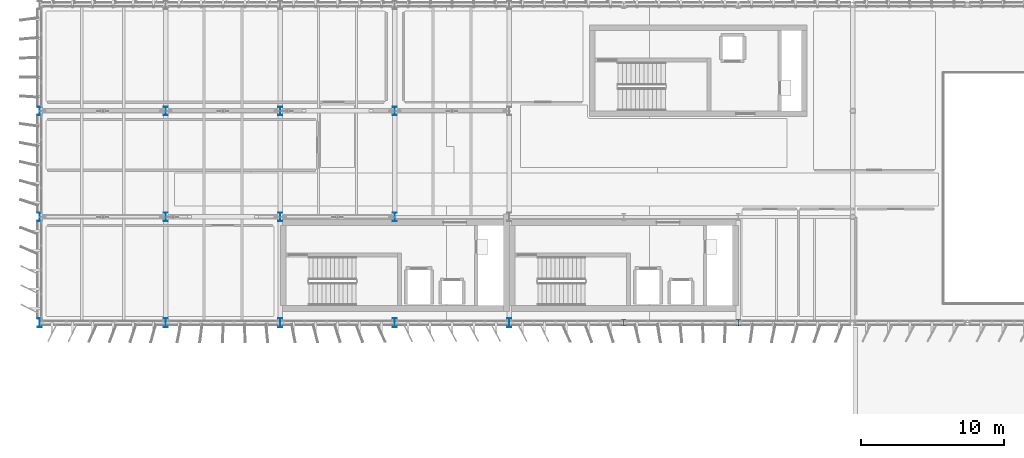
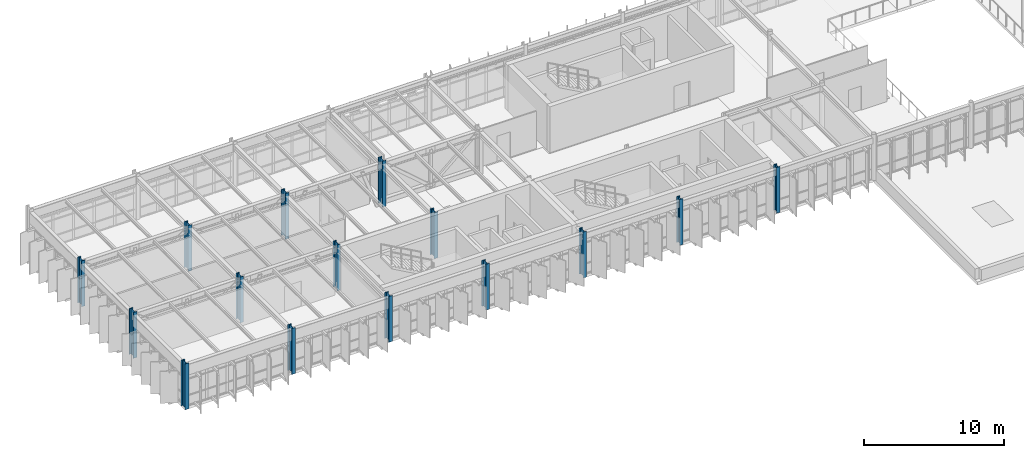
# One storey, part 1 of 56: 15 columns.
"""IFC4 building model written with IfcOpenShell, lengths in metres."""

import ifcopenshell
import ifcopenshell.guid

model = None  # the IFC model being written
_history = None  # IfcOwnerHistory: only IFC2X3 demands one
_inside = {}  # id of a spatial element -> (the spatial element, [elements in it])
_under = {}  # id of a project, library or spatial element -> (it, [spatial elements below it])
_declared = {}  # id of a project -> (the project, [libraries it declares])
_typed = {}  # id of a type object -> (the type object, [elements of that type])
_made_of = {}  # id of a material, layer set ... -> (it, [elements and type objects made of it])


def new_model(schema):
    """Start an empty IFC model of exactly this schema.

    Asked for "IFC4X3", IfcOpenShell would pick the latest addendum, in which some entities
    have other attributes; the version numbers below select the first issue.
    IFC2X3 requires an IfcOwnerHistory on every rooted entity: one is made here for all.
    """
    global model, _history
    if schema == "IFC4X3":
        model = ifcopenshell.file(schema_version=(4, 3, 0, 0))
    else:
        model = ifcopenshell.file(schema=schema)
    _inside.clear()
    _under.clear()
    _declared.clear()
    _typed.clear()
    _made_of.clear()
    _history = None
    if model.schema == "IFC2X3":
        org = make("IfcOrganization", Name="unknown")
        user = make(
            "IfcPersonAndOrganization",
            ThePerson=make("IfcPerson", FamilyName="unknown"),
            TheOrganization=org,
        )
        app = make(
            "IfcApplication",
            ApplicationDeveloper=org,
            Version="unknown",
            ApplicationFullName="unknown",
            ApplicationIdentifier="unknown",
        )
        _history = make(
            "IfcOwnerHistory",
            OwningUser=user,
            OwningApplication=app,
            ChangeAction="ADDED",
            CreationDate=0,
        )
    return model


def make(cls, **values):
    """One entity of the class cls with the attributes given. An attribute that is None is left unset."""
    return model.create_entity(
        cls, **{name: value for name, value in values.items() if value is not None}
    )


def rooted(cls, **values):
    """An entity with a GlobalId (a new one), such as an element, a storey or a relation."""
    return make(cls, GlobalId=ifcopenshell.guid.new(), OwnerHistory=_history, **values)


def si_unit(unit_type, name, prefix=None):
    """IfcSIUnit, for example si_unit("LENGTHUNIT", "METRE", prefix="MILLI")."""
    return make("IfcSIUnit", UnitType=unit_type, Prefix=prefix, Name=name)


def assignment(units):
    """IfcUnitAssignment: the units of a project."""
    return None if units is None else make("IfcUnitAssignment", Units=units)


def point(xyz):
    """IfcCartesianPoint."""
    return None if xyz is None else make("IfcCartesianPoint", Coordinates=xyz)


def direction(xyz):
    """IfcDirection."""
    return None if xyz is None else make("IfcDirection", DirectionRatios=xyz)


def frame(location, z_axis=None, x_axis=None):
    """IfcAxis2Placement3D, a coordinate frame: its origin and axes. An axis left out is left unset."""
    return make(
        "IfcAxis2Placement3D",
        Location=point(location),
        Axis=direction(z_axis),
        RefDirection=direction(x_axis),
    )


def frame_2d(location, x_axis=None):
    """IfcAxis2Placement2D, a coordinate frame in the plane: its origin and x axis."""
    return make(
        "IfcAxis2Placement2D", Location=point(location), RefDirection=direction(x_axis)
    )


def origin():
    """The frame at (0, 0, 0) with its axes left unset."""
    return frame((0.0, 0.0, 0.0))


def origin_2d():
    """The frame at (0, 0) in the plane with its x axis left unset."""
    return frame_2d((0.0, 0.0))


def place(relative_to, where):
    """IfcLocalPlacement: puts the frame where relative to a parent placement (None: the world)."""
    return make(
        "IfcLocalPlacement", PlacementRelTo=relative_to, RelativePlacement=where
    )


def context(
    kind, dimensions, precision=None, world=None, true_north=None, identifier=None
):
    """IfcGeometricRepresentationContext, for example the 3D "Model" context."""
    return make(
        "IfcGeometricRepresentationContext",
        ContextIdentifier=identifier,
        ContextType=kind,
        CoordinateSpaceDimension=dimensions,
        Precision=precision,
        WorldCoordinateSystem=world,
        TrueNorth=true_north,
    )


def subcontext(parent, identifier, kind, view, scale=None):
    """IfcGeometricRepresentationSubContext, for example "Body" below "Model"."""
    return make(
        "IfcGeometricRepresentationSubContext",
        ContextIdentifier=identifier,
        ContextType=kind,
        ParentContext=parent,
        TargetScale=scale,
        TargetView=view,
    )


def project(units=None, contexts=None):
    """IfcProject with its units and contexts."""
    return rooted(
        "IfcProject",
        Name="project",
        RepresentationContexts=contexts,
        UnitsInContext=assignment(units),
    )


def spatial(cls, under=None, at=None, **own):
    """A site, building, storey or space (cls), placed at a placement, below another one or the project."""
    s = rooted(cls, ObjectPlacement=at, **own)
    if under is not None:
        _under.setdefault(under.id(), (under, []))[1].append(s)
    return s


def profile(cls, at=None, kind="AREA", **sizes):
    """A parametric profile (cls). Its sizes go by their IFC names, for example OverallWidth=200.0."""
    return make(cls, ProfileType=kind, Position=at, **sizes)


def i_section(**sizes):
    """IfcIShapeProfileDef."""
    return profile("IfcIShapeProfileDef", **sizes)


def extrude(swept, where, along, depth):
    """IfcExtrudedAreaSolid: the profile swept, set in the frame where, extruded along a direction by depth."""
    return make(
        "IfcExtrudedAreaSolid",
        SweptArea=swept,
        Position=where,
        ExtrudedDirection=direction(along),
        Depth=depth,
    )


def shape(context_of_items, identifier, shape_type, items):
    """IfcShapeRepresentation: the items that make up one representation, for example the "Body"."""
    return make(
        "IfcShapeRepresentation",
        ContextOfItems=context_of_items,
        RepresentationIdentifier=identifier,
        RepresentationType=shape_type,
        Items=items,
    )


def material(Name=None, Category=None):
    """IfcMaterial."""
    return make("IfcMaterial", Name=Name, Category=Category)


def material_profile(
    of_material, cross_section, Name=None, Category=None, Priority=None
):
    """IfcMaterialProfile: a cross section and its material."""
    return make(
        "IfcMaterialProfile",
        Name=Name,
        Material=of_material,
        Profile=cross_section,
        Priority=Priority,
        Category=Category,
    )


def profile_set(profiles, Name=None, composite=None):
    """IfcMaterialProfileSet."""
    return make(
        "IfcMaterialProfileSet",
        Name=Name,
        MaterialProfiles=profiles,
        CompositeProfile=composite,
    )


def made_of(thing, what):
    """Note that an element or type object is made of a material, layer set ...; save() writes the relation."""
    if what is not None:
        _made_of.setdefault(what.id(), (what, []))[1].append(thing)
    return thing


def type_object(cls, material=None, **own):
    """A type object (cls), such as IfcWallType, which elements share."""
    return made_of(rooted(cls, **own), material)


def element(
    cls,
    number,
    at=None,
    inside=None,
    cuts=None,
    type_object=None,
    material=None,
    context=None,
    identifier="Body",
    shape_type=None,
    held_by="IfcProductDefinitionShape",
    body=None,
    shapes=None,
    **own,
):
    """One element of the class cls, such as IfcWall. Its Tag is "e" and its number.

    at: its placement. inside: the storey or other place that contains it. cuts: it is an
    opening in that element (IfcRelVoidsElement). A single representation is given by context,
    identifier, shape_type and body (its items); several are given by shapes. held_by: the class
    of the entity that holds the representations. save() writes the other relations.
    """
    e = rooted(cls, Tag="e%d" % number, ObjectPlacement=at, **own)
    if body is not None:
        shapes = [shape(context, identifier, shape_type, body)]
    if shapes is not None:
        e.Representation = make(held_by, Representations=shapes)
    if inside is not None:
        _inside.setdefault(inside.id(), (inside, []))[1].append(e)
    if cuts is not None:
        rooted(
            "IfcRelVoidsElement", RelatingBuildingElement=cuts, RelatedOpeningElement=e
        )
    if type_object is not None:
        _typed.setdefault(type_object.id(), (type_object, []))[1].append(e)
    return made_of(e, material)


def aggregate(whole, parts):
    """IfcRelAggregates: a whole, such as a stair, and the parts it consists of."""
    return rooted("IfcRelAggregates", RelatingObject=whole, RelatedObjects=parts)


def save(model, path):
    """Write the relations noted so far, then the file.

    IfcRelAggregates (storeys below a building ...), IfcRelContainedInSpatialStructure (elements
    in a storey), IfcRelDefinesByType, IfcRelAssociatesMaterial and IfcRelDeclares: one each for
    every whole, place, type object, material and project.
    """
    for whole, parts in _under.values():
        aggregate(whole, parts)
    for where, things in _inside.values():
        rooted(
            "IfcRelContainedInSpatialStructure",
            RelatedElements=things,
            RelatingStructure=where,
        )
    for kind, things in _typed.values():
        rooted("IfcRelDefinesByType", RelatedObjects=things, RelatingType=kind)
    for what, things in _made_of.values():
        rooted("IfcRelAssociatesMaterial", RelatedObjects=things, RelatingMaterial=what)
    for by, libraries in _declared.values():
        rooted("IfcRelDeclares", RelatingContext=by, RelatedDefinitions=libraries)
    model.write(path)


model = new_model("IFC4")

# Units and contexts
model_context = context("Model", 3, precision=1e-05, world=origin(), true_north=direction((0.0, 1.0)))
body_context = subcontext(model_context, "Body", "Model", "MODEL_VIEW")
ifc_project = project(units=[si_unit("LENGTHUNIT", "METRE"), si_unit("AREAUNIT", "SQUARE_METRE"), si_unit("VOLUMEUNIT", "CUBIC_METRE"), si_unit("PLANEANGLEUNIT", "RADIAN"), si_unit("MASSUNIT", "GRAM", prefix="KILO")], contexts=[model_context])

# Site, building, storey
site_placement = place(None, origin())
site = spatial("IfcSite", under=ifc_project, at=site_placement, CompositionType="ELEMENT")
building_placement = place(site_placement, origin())
building = spatial("IfcBuilding", under=site, at=building_placement, Name="Valkorina Park Police Headquarters", CompositionType="ELEMENT")
storey_placement = place(building_placement, frame((0.0, 0.0, 14.10009765625)))
storey = spatial("IfcBuildingStorey", under=building, at=storey_placement, Name="L04", CompositionType="ELEMENT", Elevation=14.10009765625)

# Columns
ifc_material = material(Name="Steel S355", Category="steel")
ifc_material_profile_1 = material_profile(ifc_material, i_section(OverallWidth=0.300048828125, OverallDepth=0.449951171875, WebThickness=0.013916015625, FlangeThickness=0.02587890625, FilletRadius=0.027099609375, at=origin_2d()), Name="HEB 450")
ifc_profile_set_1 = profile_set([ifc_material_profile_1], Name="Steel S355")
column_type_1 = type_object("IfcColumnType", Name="COL-S355-HEB450-EXT", PredefinedType="COLUMN", material=ifc_profile_set_1)
for number, where, z_axis, x_axis, name in (
    (1, (40.800048828125, 37.0, 0.0), (0.0, 0.0, 1.0), (1.0, 0.0, 0.0), "L04 Column 0872"),
    (2, (48.800048828125, 37.0, 0.0), (0.0, 0.0, 1.0), (1.0, 0.0, 0.0), "L04 Column 0875"),
):
    element("IfcColumn", number, at=place(storey_placement, frame(where, z_axis=z_axis, x_axis=x_axis)), inside=storey, type_object=column_type_1, Name=name, PredefinedType="COLUMN", context=body_context, shape_type="SweptSolid", body=[
        extrude(i_section(OverallWidth=0.300048828125, OverallDepth=0.449951171875, WebThickness=0.013916015625, FlangeThickness=0.02587890625, FilletRadius=0.027099609375, at=origin_2d()), origin(), (0.0, 0.0, 1.0), 4.0),
    ])
ifc_material_profile_2 = material_profile(ifc_material, i_section(OverallWidth=0.300048828125, OverallDepth=0.60009765625, WebThickness=0.015380859375, FlangeThickness=0.030029296875, FilletRadius=0.027099609375, at=origin_2d()), Name="HEB 600")
ifc_profile_set_2 = profile_set([ifc_material_profile_2], Name="Steel S355")
column_type_2 = type_object("IfcColumnType", Name="COL-S355-HEB600-EXT", PredefinedType="COLUMN", material=ifc_profile_set_2)
for number, where, z_axis, x_axis, name in (
    (3, (0.0, 37.0, 0.0), (0.0, 0.0, 1.0), (1.0, 0.0, 0.0), "L04 Column 0852"),
    (4, (0.0, 44.39990234375, 0.0), (0.0, 0.0, 1.0), (1.0, 0.0, 0.0), "L04 Column 0853"),
    (5, (0.0, 51.800048828125, 0.0), (0.0, 0.0, 1.0), (1.0, 0.0, 0.0), "L04 Column 0854"),
    (6, (8.800048828125, 37.0, 0.0), (0.0, 0.0, 1.0), (1.0, 0.0, 0.0), "L04 Column 0856"),
    (7, (16.800048828125, 37.0, 0.0), (0.0, 0.0, 1.0), (1.0, 0.0, 0.0), "L04 Column 0860"),
    (8, (24.800048828125, 37.0, 0.0), (0.0, 0.0, 1.0), (1.0, 0.0, 0.0), "L04 Column 0864"),
    (9, (32.800048828125, 37.0, 0.0), (0.0, 0.0, 1.0), (1.0, 0.0, 0.0), "L04 Column 0868"),
):
    element("IfcColumn", number, at=place(storey_placement, frame(where, z_axis=z_axis, x_axis=x_axis)), inside=storey, type_object=column_type_2, Name=name, PredefinedType="COLUMN", context=body_context, shape_type="SweptSolid", body=[
        extrude(i_section(OverallWidth=0.300048828125, OverallDepth=0.60009765625, WebThickness=0.015380859375, FlangeThickness=0.030029296875, FilletRadius=0.027099609375, at=origin_2d()), origin(), (0.0, 0.0, 1.0), 4.0),
    ])
ifc_material_profile_3 = material_profile(ifc_material, i_section(OverallWidth=0.300048828125, OverallDepth=0.60009765625, WebThickness=0.015380859375, FlangeThickness=0.030029296875, FilletRadius=0.027099609375, at=origin_2d()), Name="HEB 600")
ifc_profile_set_3 = profile_set([ifc_material_profile_3], Name="Steel S355")
column_type_3 = type_object("IfcColumnType", Name="COL-S355-HEB600-INT", PredefinedType="COLUMN", material=ifc_profile_set_3)
for number, where, z_axis, x_axis, name in (
    (10, (8.800048828125, 44.39990234375, 0.0), (0.0, 0.0, 1.0), (1.0, 0.0, 0.0), "L04 Column 0857"),
    (11, (8.800048828125, 51.800048828125, 0.0), (0.0, 0.0, 1.0), (1.0, 0.0, 0.0), "L04 Column 0858"),
    (12, (16.800048828125, 44.39990234375, 0.0), (0.0, 0.0, 1.0), (1.0, 0.0, 0.0), "L04 Column 0861"),
    (13, (16.800048828125, 51.800048828125, 0.0), (0.0, 0.0, 1.0), (1.0, 0.0, 0.0), "L04 Column 0862"),
    (14, (24.800048828125, 44.39990234375, 0.0), (0.0, 0.0, 1.0), (1.0, 0.0, 0.0), "L04 Column 0865"),
    (15, (24.800048828125, 51.800048828125, 0.0), (0.0, 0.0, 1.0), (1.0, 0.0, 0.0), "L04 Column 0866"),
):
    element("IfcColumn", number, at=place(storey_placement, frame(where, z_axis=z_axis, x_axis=x_axis)), inside=storey, type_object=column_type_3, Name=name, PredefinedType="COLUMN", context=body_context, shape_type="SweptSolid", body=[
        extrude(i_section(OverallWidth=0.300048828125, OverallDepth=0.60009765625, WebThickness=0.015380859375, FlangeThickness=0.030029296875, FilletRadius=0.027099609375, at=origin_2d()), origin(), (0.0, 0.0, 1.0), 4.0),
    ])

save(model, "model.ifc")
